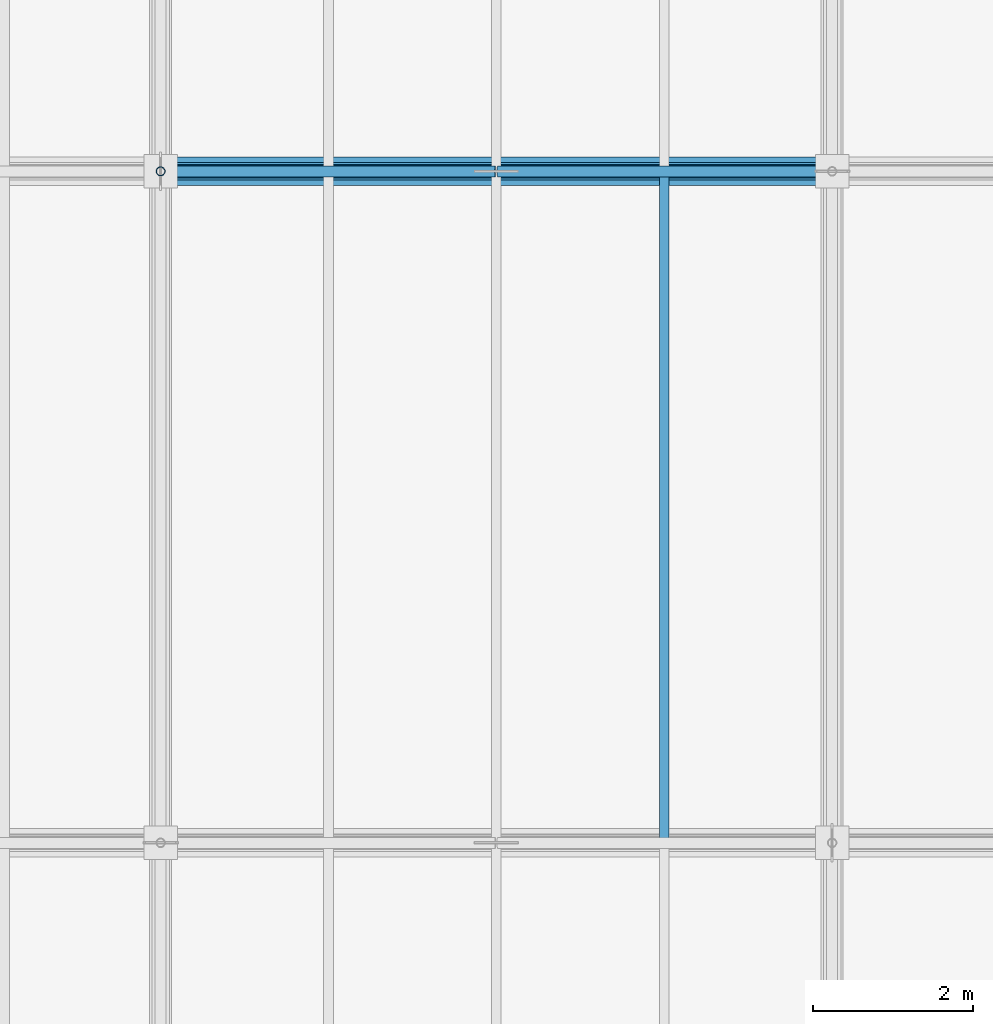
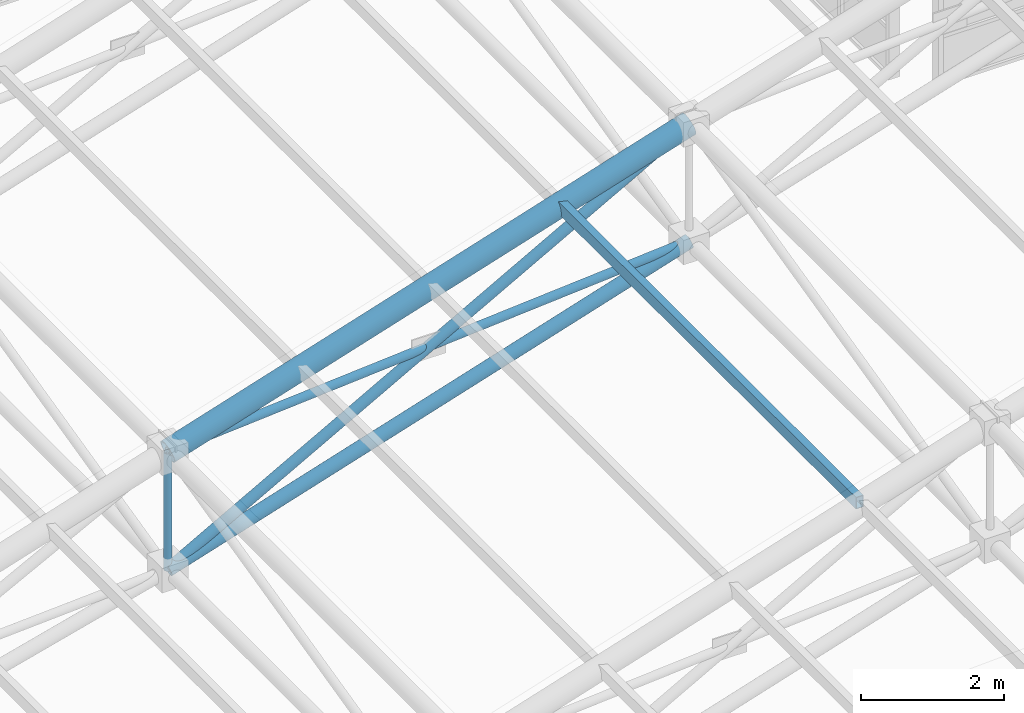
# One storey, part 40 of 144: 7 members.
"""IFC4 building model written with IfcOpenShell, lengths in metres."""

from ifc_helpers import new_model, si_unit, direction, frame, origin, origin_2d, place, context, subcontext, project, spatial, hollow_rectangle, hollow_circle, extrude, material, material_profile, profile_set, type_object, element, save


model = new_model("IFC4")

# Units and contexts
model_context = context("Model", 3, precision=1e-05, world=origin(), true_north=direction((0.0, 1.0)))
body_context = subcontext(model_context, "Body", "Model", "MODEL_VIEW")
ifc_project = project(units=[si_unit("LENGTHUNIT", "METRE"), si_unit("AREAUNIT", "SQUARE_METRE"), si_unit("VOLUMEUNIT", "CUBIC_METRE"), si_unit("PLANEANGLEUNIT", "RADIAN"), si_unit("MASSUNIT", "GRAM", prefix="KILO")], contexts=[model_context])

# Site, building, storey
site_placement = place(None, origin())
site = spatial("IfcSite", under=ifc_project, at=site_placement, CompositionType="ELEMENT")
building_placement = place(site_placement, origin())
building = spatial("IfcBuilding", under=site, at=building_placement, Name="Zayran Congress Hotel", CompositionType="ELEMENT")
storey_placement = place(building_placement, frame((0.0, 0.0, 19.199951171875)))
storey = spatial("IfcBuildingStorey", under=building, at=storey_placement, Name="L04", CompositionType="ELEMENT", Elevation=19.199951171875)

# Members
ifc_material = material(Name="Steel S355", Category="steel")
ifc_material_profile_1 = material_profile(ifc_material, hollow_circle(Radius=0.177734375, WallThickness=0.01611328125, at=origin_2d()), Name="CHS 355.6x16")
ifc_profile_set_1 = profile_set([ifc_material_profile_1], Name="Steel S355")
member_type_1 = type_object("IfcMemberType", Name="TP-SF-TC1", PredefinedType="CHORD", material=ifc_profile_set_1)
member_1_placement = place(storey_placement, frame((16.800048828125, 101.199951171875, 4.652099609375), z_axis=(0.953670596398, 0.0, 0.300852777228), x_axis=(0.0, 1.0, 0.0)))
element("IfcMember", 1, at=member_1_placement, inside=storey, type_object=member_type_1, Name="Space Frame Top Chord X 92", PredefinedType="CHORD", context=body_context, shape_type="SweptSolid", body=[
    extrude(hollow_circle(Radius=0.177734375, WallThickness=0.01611328125, at=origin_2d()), origin(), (0.0, 0.0, 1.0), 8.807861328125),
])
ifc_material_profile_2 = material_profile(ifc_material, hollow_circle(Radius=0.109619140625, WallThickness=0.010009765625, at=origin_2d()), Name="CHS 219.1x10")
ifc_profile_set_2 = profile_set([ifc_material_profile_2], Name="Steel S355")
member_type_2 = type_object("IfcMemberType", Name="TP-SF-BC1", PredefinedType="CHORD", material=ifc_profile_set_2)
member_2_placement = place(storey_placement, frame((16.800048828125, 101.199951171875, 2.650146484375), z_axis=(0.953670596398, 0.0, 0.300852777228), x_axis=(0.0, 1.0, 0.0)))
element("IfcMember", 2, at=member_2_placement, inside=storey, type_object=member_type_2, Name="Space Frame Bottom Chord X 93", PredefinedType="CHORD", context=body_context, shape_type="SweptSolid", body=[
    extrude(hollow_circle(Radius=0.109619140625, WallThickness=0.010009765625, at=origin_2d()), origin(), (0.0, 0.0, 1.0), 8.807861328125),
])
ifc_material_profile_3 = material_profile(ifc_material, hollow_circle(Radius=0.084228515625, WallThickness=0.008056640625, at=origin_2d()), Name="CHS 168.3x8")
ifc_profile_set_3 = profile_set([ifc_material_profile_3], Name="Steel S355")
member_type_3 = type_object("IfcMemberType", Name="TP-SF-DG1", PredefinedType="BRACE", material=ifc_profile_set_3)
member_3_placement = place(storey_placement, frame((16.800048828125, 101.199951171875, 2.650146484375), z_axis=(0.87480892947, 0.0, 0.484468096905), x_axis=(0.0, 1.0, 0.0)))
element("IfcMember", 3, at=member_3_placement, inside=storey, type_object=member_type_3, Name="Space Frame Web Diagonal X 94", PredefinedType="BRACE", context=body_context, shape_type="SweptSolid", body=[
    extrude(hollow_circle(Radius=0.084228515625, WallThickness=0.008056640625, at=origin_2d()), origin(), (0.0, 0.0, 1.0), 9.60205078125),
])
ifc_material_profile_4 = material_profile(ifc_material, hollow_circle(Radius=0.06982421875, WallThickness=0.00634765625, at=origin_2d()), Name="CHS 139.7x6.3")
ifc_profile_set_4 = profile_set([ifc_material_profile_4], Name="Steel S355")
member_type_4 = type_object("IfcMemberType", Name="TP-SF-DG2", PredefinedType="BRACE", material=ifc_profile_set_4)
for number, where, z_axis, x_axis, name in (
    (4, (16.800048828125, 101.199951171875, 4.652099609375), (0.997039412202, 0.0, 0.076892200614), (0.0, 1.0, 0.0), "Space Frame Counter Diagonal X Upper 95"),
    (5, (21.014892578125, 101.199951171875, 4.977294921875), (0.997039412202, 0.0, 0.076892200614), (0.0, 1.0, 0.0), "Space Frame Counter Diagonal X Lower 18"),
):
    element("IfcMember", number, at=place(storey_placement, frame(where, z_axis=z_axis, x_axis=x_axis)), inside=storey, type_object=member_type_4, Name=name, PredefinedType="BRACE", context=body_context, shape_type="SweptSolid", body=[
        extrude(hollow_circle(Radius=0.06982421875, WallThickness=0.00634765625, at=origin_2d()), origin(), (0.0, 0.0, 1.0), 4.197509765625),
    ])
ifc_material_profile_5 = material_profile(ifc_material, hollow_circle(Radius=0.05712890625, WallThickness=0.00634765625, at=origin_2d()), Name="CHS 114.3x6.3")
ifc_profile_set_5 = profile_set([ifc_material_profile_5], Name="Steel S355")
member_type_5 = type_object("IfcMemberType", Name="TP-SF-DG3", PredefinedType="BRACE", material=ifc_profile_set_5)
member_4_placement = place(storey_placement, frame((16.800048828125, 101.199951171875, 2.650146484375), z_axis=(0.0, 0.0, 1.0), x_axis=(0.0, 1.0, 0.0)))
element("IfcMember", 6, at=member_4_placement, inside=storey, type_object=member_type_5, Name="Space Frame Web Strut 99", PredefinedType="BRACE", context=body_context, shape_type="SweptSolid", body=[
    extrude(hollow_circle(Radius=0.05712890625, WallThickness=0.00634765625, at=origin_2d()), origin(), (0.0, 0.0, 1.0), 2.001953125),
])
ifc_material_profile_6 = material_profile(ifc_material, hollow_rectangle(XDim=0.1201171875, YDim=0.199951171875, WallThickness=0.008056640625, at=origin_2d()), Name="RHS 200x120x8")
ifc_profile_set_6 = profile_set([ifc_material_profile_6], Name="Steel S355")
member_type_6 = type_object("IfcMemberType", Name="TP-PR-01", PredefinedType="PURLIN", material=ifc_profile_set_6)
member_5_placement = place(storey_placement, frame((23.10009765625, 92.800048828125, 6.681640625), z_axis=(0.0, 1.0, 0.0), x_axis=(-1.0, 0.0, 0.0)))
element("IfcMember", 7, at=member_5_placement, inside=storey, type_object=member_type_6, Name="MEM-PR-V1-0034", PredefinedType="PURLIN", context=body_context, shape_type="SweptSolid", body=[
    extrude(hollow_rectangle(XDim=0.1201171875, YDim=0.199951171875, WallThickness=0.008056640625, at=origin_2d()), origin(), (0.0, 0.0, 1.0), 8.39990234375),
])

save(model, "model.ifc")
